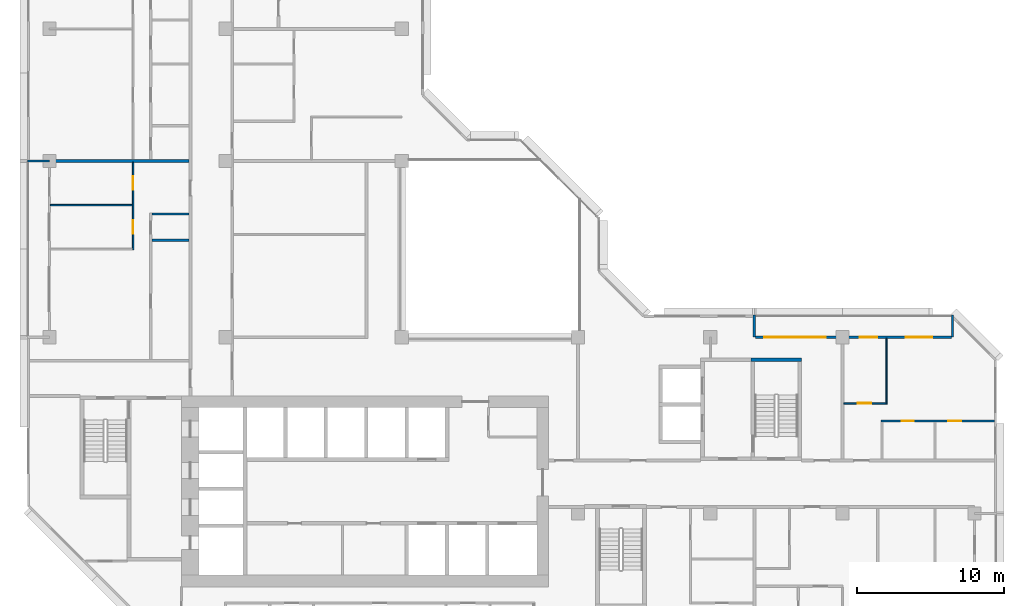
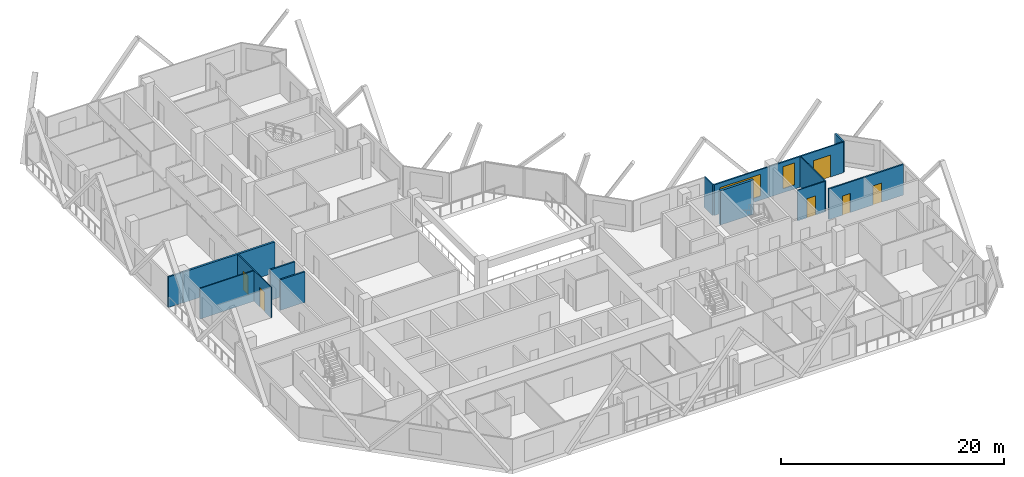
# One storey, part 8 of 15: 13 walls, 6 doors, 2 windows, 8 openings.
"""IFC4 building model written with IfcOpenShell, lengths in metres."""

from ifc_helpers import new_model, si_unit, direction, frame, frame_2d, origin, place, context, subcontext, project, spatial, rectangle, extrude, material, layer, layer_set, type_object, element, fill, save


model = new_model("IFC4")

# Units and contexts
model_context = context("Model", 3, precision=1e-05, world=origin(), true_north=direction((0.0, 1.0)))
body_context = subcontext(model_context, "Body", "Model", "MODEL_VIEW")
ifc_project = project(units=[si_unit("LENGTHUNIT", "METRE"), si_unit("AREAUNIT", "SQUARE_METRE"), si_unit("VOLUMEUNIT", "CUBIC_METRE"), si_unit("PLANEANGLEUNIT", "RADIAN"), si_unit("MASSUNIT", "GRAM", prefix="KILO")], contexts=[model_context])

# Site, building, storey
site_placement = place(None, origin())
site = spatial("IfcSite", under=ifc_project, at=site_placement, CompositionType="ELEMENT")
building_placement = place(site_placement, origin())
building = spatial("IfcBuilding", under=site, at=building_placement, Name="Chenar Terraces", CompositionType="ELEMENT")
storey_placement = place(building_placement, frame((0.0, 0.0, 187.39990234375)))
storey = spatial("IfcBuildingStorey", under=building, at=storey_placement, Name="L43", CompositionType="ELEMENT", Elevation=187.39990234375)

# Wall
ifc_material_1 = material(Name="Concrete C60/75", Category="concrete")
ifc_layer_1 = layer(ifc_material_1, 0.25)
ifc_layer_set_1 = layer_set([ifc_layer_1], Name="Concrete C60/75")
wall_type_1 = type_object("IfcWallType", Name="Core wall 250 Concrete C60/75", PredefinedType="SHEAR", material=ifc_layer_set_1)
wall_1_placement = place(storey_placement, frame((47.77490234375, 22.47509765625, 0.0), z_axis=(0.0, 0.0, 1.0), x_axis=(1.0, 0.0, 0.0)))
element("IfcWall", 1, at=wall_1_placement, inside=storey, type_object=wall_type_1, Name="Core wall ST3_N L43", PredefinedType="SHEAR", context=body_context, shape_type="SweptSolid", body=[
    extrude(rectangle(XDim=3.4501953125, YDim=0.25, at=frame_2d((1.72509765625, 0.0))), origin(), (0.0, 0.0, 1.0), 3.75),
])

# Wall, openings, windows, door
ifc_material_2 = material(Name="Aluminium framed glazing", Category="aluminium")
ifc_layer_2 = layer(ifc_material_2, 0.14990234375)
ifc_layer_set_2 = layer_set([ifc_layer_2], Name="Aluminium framed glazing")
wall_type_2 = type_object("IfcWallType", Name="Glazed loggia back wall 150", PredefinedType="SOLIDWALL", material=ifc_layer_set_2)
wall_2_placement = place(storey_placement, frame((61.425048828125, 24.0, 0.0), z_axis=(0.0, 0.0, 1.0), x_axis=(-1.0, 0.0, 0.0)))
wall_2 = element("IfcWall", 2, at=wall_2_placement, inside=storey, type_object=wall_type_2, Name="Glazed loggia back wall", PredefinedType="SOLIDWALL", context=body_context, shape_type="SweptSolid", body=[
    extrude(rectangle(XDim=13.35009765625, YDim=0.14990234375, at=frame_2d((6.675048828125, 0.0))), origin(), (0.0, 0.0, 1.0), 3.35009765625),
])
opening_1_placement = place(wall_2_placement, frame((1.3125, 0.0, 0.0)))
opening_1 = element("IfcOpeningElement", 3, at=opening_1_placement, cuts=wall_2, Name="Opening DL43-G1", PredefinedType="OPENING", context=body_context, shape_type="SweptSolid", body=[
    extrude(rectangle(XDim=1.800048828125, YDim=2.39990234375, at=frame_2d((0.89990234375, 1.199951171875))), frame((0.0, 0.0849609375, 0.0), z_axis=(0.0, -1.0, 0.0), x_axis=(1.0, 0.0, 0.0)), (0.0, 0.0, 1.0), 0.169921875),
])
opening_2_placement = place(wall_2_placement, frame((5.050048828125, 0.0, 0.449951171875)))
opening_2 = element("IfcOpeningElement", 4, at=opening_2_placement, cuts=wall_2, Name="Opening W120x240", PredefinedType="OPENING", context=body_context, shape_type="SweptSolid", body=[
    extrude(rectangle(XDim=1.199951171875, YDim=2.39990234375, at=frame_2d((0.60009765625, 1.199951171875))), frame((0.0, 0.0849609375, 0.0), z_axis=(0.0, -1.0, 0.0), x_axis=(1.0, 0.0, 0.0)), (0.0, 0.0, 1.0), 0.169921875),
])
opening_3_placement = place(wall_2_placement, frame((8.5625, 0.0, 0.449951171875)))
opening_3 = element("IfcOpeningElement", 5, at=opening_3_placement, cuts=wall_2, Name="Opening W420x240", PredefinedType="OPENING", context=body_context, shape_type="SweptSolid", body=[
    extrude(rectangle(XDim=4.199951171875, YDim=2.39990234375, at=frame_2d((2.10009765625, 1.199951171875))), frame((0.0, 0.0849609375, 0.0), z_axis=(0.0, -1.0, 0.0), x_axis=(1.0, 0.0, 0.0)), (0.0, 0.0, 1.0), 0.169921875),
])
ifc_material_3 = material(Name="Low emissivity double glazing, aluminium frame", Category="aluminium")
window_type_1 = type_object("IfcWindowType", Name="Fixed light 1200 x 2400", PartitioningType="SINGLE_PANEL", PredefinedType="WINDOW", material=ifc_material_3)
window_1_placement = place(opening_2_placement, origin())
window_1 = element("IfcWindow", 6, at=window_1_placement, inside=storey, type_object=window_type_1, Name="Window", OverallHeight=2.39990234375, OverallWidth=1.199951171875, PartitioningType="SINGLE_PANEL", PredefinedType="WINDOW", context=body_context, shape_type="SweptSolid", body=[
    extrude(rectangle(XDim=1.199951171875, YDim=2.39990234375, at=frame_2d((0.60009765625, 1.199951171875))), frame((0.0, 0.030029296875, 0.0), z_axis=(0.0, -1.0, 0.0), x_axis=(1.0, 0.0, 0.0)), (0.0, 0.0, 1.0), 0.06005859375),
])
fill(opening_2, window_1)
ifc_material_4 = material(Name="Low emissivity double glazing, aluminium frame", Category="aluminium")
window_type_2 = type_object("IfcWindowType", Name="Fixed light 4200 x 2400", PartitioningType="SINGLE_PANEL", PredefinedType="WINDOW", material=ifc_material_4)
window_2_placement = place(opening_3_placement, origin())
window_2 = element("IfcWindow", 7, at=window_2_placement, inside=storey, type_object=window_type_2, Name="Window", OverallHeight=2.39990234375, OverallWidth=4.199951171875, PartitioningType="SINGLE_PANEL", PredefinedType="WINDOW", context=body_context, shape_type="SweptSolid", body=[
    extrude(rectangle(XDim=4.199951171875, YDim=2.39990234375, at=frame_2d((2.10009765625, 1.199951171875))), frame((0.0, 0.030029296875, 0.0), z_axis=(0.0, -1.0, 0.0), x_axis=(1.0, 0.0, 0.0)), (0.0, 0.0, 1.0), 0.06005859375),
])
fill(opening_3, window_2)
ifc_material_5 = material(Name="Low emissivity double glazing, aluminium frame", Category="aluminium")
door_type_1 = type_object("IfcDoorType", Name="Loggia glazed double door 1800 x 2400", OperationType="DOUBLE_DOOR_SINGLE_SWING", PredefinedType="DOOR", material=ifc_material_5)
door_1_placement = place(opening_1_placement, frame((1.800048828125, 0.0, 0.0), z_axis=(0.0, 0.0, 1.0), x_axis=(-1.0, 0.0, 0.0)))
door_1 = element("IfcDoor", 8, at=door_1_placement, inside=storey, type_object=door_type_1, Name="Loggia glazed door", OperationType="DOUBLE_DOOR_SINGLE_SWING", OverallHeight=2.39990234375, OverallWidth=1.800048828125, PredefinedType="DOOR", context=body_context, shape_type="SweptSolid", body=[
    extrude(rectangle(XDim=1.800048828125, YDim=2.39990234375, at=frame_2d((0.89990234375, 1.199951171875))), frame((0.0, 0.02490234375, 0.0), z_axis=(0.0, -1.0, 0.0), x_axis=(1.0, 0.0, 0.0)), (0.0, 0.0, 1.0), 0.050048828125),
])
fill(opening_1, door_1)

# Wall
ifc_material_6 = material(Name="Gypsum board on steel studs", Category="steel")
ifc_layer_3 = layer(ifc_material_6, 0.10009765625)
ifc_layer_set_3 = layer_set([ifc_layer_3], Name="Gypsum board on steel studs")
wall_type_3 = type_object("IfcWallType", Name="Gypsum partition 100", PredefinedType="PARTITIONING", material=ifc_layer_set_3)
wall_3_placement = place(storey_placement, frame((0.073974609375, 33.0, 0.0), z_axis=(0.0, 0.0, 1.0), x_axis=(1.0, 0.0, 0.0)))
element("IfcWall", 9, at=wall_3_placement, inside=storey, type_object=wall_type_3, Name="Partition L43-007", PredefinedType="PARTITIONING", context=body_context, shape_type="SweptSolid", body=[
    extrude(rectangle(XDim=5.575927734375, YDim=0.10009765625, at=frame_2d((2.7880859375, 0.0))), origin(), (0.0, 0.0, 1.0), 3.35009765625),
])

# Wall, openings, doors
wall_4_placement = place(storey_placement, frame((5.699951171875, 29.949951171875, 0.0), z_axis=(0.0, 0.0, 1.0), x_axis=(0.0, 1.0, 0.0)))
wall_4 = element("IfcWall", 10, at=wall_4_placement, inside=storey, type_object=wall_type_3, Name="Partition L43-013", PredefinedType="PARTITIONING", context=body_context, shape_type="SweptSolid", body=[
    extrude(rectangle(XDim=5.949951171875, YDim=0.10009765625, at=frame_2d((2.97509765625, 0.0))), origin(), (0.0, 0.0, 1.0), 3.35009765625),
])
opening_4_placement = place(wall_4_placement, frame((1.10009765625, 0.0, 0.0)))
opening_4 = element("IfcOpeningElement", 11, at=opening_4_placement, cuts=wall_4, Name="Opening DL43-58", PredefinedType="OPENING", context=body_context, shape_type="SweptSolid", body=[
    extrude(rectangle(XDim=0.89990234375, YDim=2.10009765625, at=frame_2d((0.449951171875, 1.050048828125))), frame((0.0, 0.06005859375, 0.0), z_axis=(0.0, -1.0, 0.0), x_axis=(1.0, 0.0, 0.0)), (0.0, 0.0, 1.0), 0.1201171875),
])
opening_5_placement = place(wall_4_placement, frame((4.10009765625, 0.0, 0.0)))
opening_5 = element("IfcOpeningElement", 12, at=opening_5_placement, cuts=wall_4, Name="Opening DL43-59", PredefinedType="OPENING", context=body_context, shape_type="SweptSolid", body=[
    extrude(rectangle(XDim=0.89990234375, YDim=2.10009765625, at=frame_2d((0.449951171875, 1.050048828125))), frame((0.0, 0.06005859375, 0.0), z_axis=(0.0, -1.0, 0.0), x_axis=(1.0, 0.0, 0.0)), (0.0, 0.0, 1.0), 0.1201171875),
])
ifc_material_7 = material(Name="Veneered timber door leaf", Category="wood")
door_type_2 = type_object("IfcDoorType", Name="Door 900 x 2100", OperationType="SINGLE_SWING_LEFT", PredefinedType="DOOR", material=ifc_material_7)
door_2_placement = place(opening_4_placement, origin())
door_2 = element("IfcDoor", 13, at=door_2_placement, inside=storey, type_object=door_type_2, Name="Door DL43-58", OperationType="SINGLE_SWING_LEFT", OverallHeight=2.10009765625, OverallWidth=0.89990234375, PredefinedType="DOOR", context=body_context, shape_type="SweptSolid", body=[
    extrude(rectangle(XDim=0.89990234375, YDim=2.10009765625, at=frame_2d((0.449951171875, 1.050048828125))), frame((0.0, 0.02490234375, 0.0), z_axis=(0.0, -1.0, 0.0), x_axis=(1.0, 0.0, 0.0)), (0.0, 0.0, 1.0), 0.050048828125),
])
fill(opening_4, door_2)
door_3_placement = place(opening_5_placement, origin())
door_3 = element("IfcDoor", 14, at=door_3_placement, inside=storey, type_object=door_type_2, Name="Door DL43-59", OperationType="SINGLE_SWING_RIGHT", OverallHeight=2.10009765625, OverallWidth=0.89990234375, PredefinedType="DOOR", context=body_context, shape_type="SweptSolid", body=[
    extrude(rectangle(XDim=0.89990234375, YDim=2.10009765625, at=frame_2d((0.449951171875, 1.050048828125))), frame((0.0, 0.02490234375, 0.0), z_axis=(0.0, -1.0, 0.0), x_axis=(1.0, 0.0, 0.0)), (0.0, 0.0, 1.0), 0.050048828125),
])
fill(opening_5, door_3)

# Wall, opening, door
wall_5_placement = place(storey_placement, frame((54.10009765625, 19.5, 0.0), z_axis=(0.0, 0.0, 1.0), x_axis=(1.0, 0.0, 0.0)))
wall_5 = element("IfcWall", 15, at=wall_5_placement, inside=storey, type_object=wall_type_3, Name="Partition L43-078", PredefinedType="PARTITIONING", context=body_context, shape_type="SweptSolid", body=[
    extrude(rectangle(XDim=2.849853515625, YDim=0.10009765625, at=frame_2d((1.4248046875, 0.0))), origin(), (0.0, 0.0, 1.0), 3.35009765625),
])
opening_6_placement = place(wall_5_placement, frame((0.949951171875, 0.0, 0.0)))
opening_6 = element("IfcOpeningElement", 16, at=opening_6_placement, cuts=wall_5, Name="Opening DL43-5", PredefinedType="OPENING", context=body_context, shape_type="SweptSolid", body=[
    extrude(rectangle(XDim=0.89990234375, YDim=2.10009765625, at=frame_2d((0.449951171875, 1.050048828125))), frame((0.0, 0.06005859375, 0.0), z_axis=(0.0, -1.0, 0.0), x_axis=(1.0, 0.0, 0.0)), (0.0, 0.0, 1.0), 0.1201171875),
])
door_4_placement = place(opening_6_placement, origin())
door_4 = element("IfcDoor", 17, at=door_4_placement, inside=storey, type_object=door_type_2, Name="Door DL43-5", OperationType="SINGLE_SWING_RIGHT", OverallHeight=2.10009765625, OverallWidth=0.89990234375, PredefinedType="DOOR", context=body_context, shape_type="SweptSolid", body=[
    extrude(rectangle(XDim=0.89990234375, YDim=2.10009765625, at=frame_2d((0.449951171875, 1.050048828125))), frame((0.0, 0.02490234375, 0.0), z_axis=(0.0, -1.0, 0.0), x_axis=(1.0, 0.0, 0.0)), (0.0, 0.0, 1.0), 0.050048828125),
])
fill(opening_6, door_4)

# Walls
wall_6_placement = place(storey_placement, frame((57.0, 19.449951171875, 0.0), z_axis=(0.0, 0.0, 1.0), x_axis=(0.0, 1.0, 0.0)))
element("IfcWall", 18, at=wall_6_placement, inside=storey, type_object=wall_type_3, Name="Partition L43-083", PredefinedType="PARTITIONING", context=body_context, shape_type="SweptSolid", body=[
    extrude(rectangle(XDim=4.47607421875, YDim=0.10009765625, at=frame_2d((2.238037109375, 0.0))), origin(), (0.0, 0.0, 1.0), 3.35009765625),
])
ifc_material_8 = material(Name="Terracotta cladding on insulated backing", Category="masonry")
ifc_layer_4 = layer(ifc_material_8, 0.14990234375)
ifc_layer_set_4 = layer_set([ifc_layer_4], Name="Terracotta cladding on insulated backing")
wall_type_4 = type_object("IfcWallType", Name="Loggia return wall 150", PredefinedType="SOLIDWALL", material=ifc_layer_set_4)
for number, where, z_axis, x_axis, name in (
    (19, (61.5, 25.5, 0.0), (0.0, 0.0, 1.0), (0.0, -1.0, 0.0), "Loggia return wall"),
    (20, (48.0, 25.5, 0.0), (0.0, 0.0, 1.0), (0.0, -1.0, 0.0), "Loggia return wall"),
    (21, (-1.5, 36.0, 0.0), (0.0, 0.0, 1.0), (1.0, 0.0, 0.0), "Loggia return wall"),
):
    element("IfcWall", number, at=place(storey_placement, frame(where, z_axis=z_axis, x_axis=x_axis)), inside=storey, type_object=wall_type_4, Name=name, PredefinedType="SOLIDWALL", context=body_context, shape_type="SweptSolid", body=[
        extrude(rectangle(XDim=1.5, YDim=0.14990234375, at=frame_2d((0.75, 0.0))), origin(), (0.0, 0.0, 1.0), 3.35009765625),
    ])
ifc_material_9 = material(Name="Twin gypsum board on steel studs with mineral wool", Category="steel")
ifc_layer_5 = layer(ifc_material_9, 0.199951171875)
ifc_layer_set_5 = layer_set([ifc_layer_5], Name="Twin gypsum board on steel studs with mineral wool")
wall_type_5 = type_object("IfcWallType", Name="Unit demising wall 200", PredefinedType="PARTITIONING", material=ifc_layer_set_5)
wall_7_placement = place(storey_placement, frame((0.0, 36.0, 0.0), z_axis=(0.0, 0.0, 1.0), x_axis=(1.0, 0.0, 0.0)))
element("IfcWall", 22, at=wall_7_placement, inside=storey, type_object=wall_type_5, Name="Partition L43-003", PredefinedType="PARTITIONING", context=body_context, shape_type="SweptSolid", body=[
    extrude(rectangle(XDim=9.5, YDim=0.199951171875, at=frame_2d((4.75, 0.0))), origin(), (0.0, 0.0, 1.0), 3.35009765625),
])
ifc_material_10 = material(Name="Moisture-resistant gypsum board on steel studs", Category="steel")
ifc_layer_6 = layer(ifc_material_10, 0.14990234375)
ifc_layer_set_6 = layer_set([ifc_layer_6], Name="Moisture-resistant gypsum board on steel studs")
wall_type_6 = type_object("IfcWallType", Name="Wet-room partition 150", PredefinedType="PARTITIONING", material=ifc_layer_set_6)
for number, where, z_axis, x_axis, name in (
    (23, (6.97509765625, 30.60009765625, 0.0), (0.0, 0.0, 1.0), (1.0, 0.0, 0.0), "Partition L43-020"),
    (24, (6.97509765625, 32.39990234375, 0.0), (0.0, 0.0, 1.0), (1.0, 0.0, 0.0), "Partition L43-021"),
):
    element("IfcWall", number, at=place(storey_placement, frame(where, z_axis=z_axis, x_axis=x_axis)), inside=storey, type_object=wall_type_6, Name=name, PredefinedType="PARTITIONING", context=body_context, shape_type="SweptSolid", body=[
        extrude(rectangle(XDim=2.52490234375, YDim=0.14990234375, at=frame_2d((1.262451171875, 0.0))), origin(), (0.0, 0.0, 1.0), 3.35009765625),
    ])

# Wall, openings, doors
wall_8_placement = place(storey_placement, frame((56.625, 18.300048828125, 0.0), z_axis=(0.0, 0.0, 1.0), x_axis=(1.0, 0.0, 0.0)))
wall_8 = element("IfcWall", 25, at=wall_8_placement, inside=storey, type_object=wall_type_6, Name="Partition L43-081", PredefinedType="PARTITIONING", context=body_context, shape_type="SweptSolid", body=[
    extrude(rectangle(XDim=7.72509765625, YDim=0.14990234375, at=frame_2d((3.862548828125, 0.0))), origin(), (0.0, 0.0, 1.0), 3.35009765625),
])
opening_7_placement = place(wall_8_placement, frame((1.425048828125, 0.0, 0.0)))
opening_7 = element("IfcOpeningElement", 26, at=opening_7_placement, cuts=wall_8, Name="Opening DL43-4", PredefinedType="OPENING", context=body_context, shape_type="SweptSolid", body=[
    extrude(rectangle(XDim=0.800048828125, YDim=2.10009765625, at=frame_2d((0.39990234375, 1.050048828125))), frame((0.0, 0.0849609375, 0.0), z_axis=(0.0, -1.0, 0.0), x_axis=(1.0, 0.0, 0.0)), (0.0, 0.0, 1.0), 0.169921875),
])
opening_8_placement = place(wall_8_placement, frame((4.574951171875, 0.0, 0.0)))
opening_8 = element("IfcOpeningElement", 27, at=opening_8_placement, cuts=wall_8, Name="Opening DL43-6", PredefinedType="OPENING", context=body_context, shape_type="SweptSolid", body=[
    extrude(rectangle(XDim=0.89990234375, YDim=2.10009765625, at=frame_2d((0.449951171875, 1.050048828125))), frame((0.0, 0.0849609375, 0.0), z_axis=(0.0, -1.0, 0.0), x_axis=(1.0, 0.0, 0.0)), (0.0, 0.0, 1.0), 0.169921875),
])
ifc_material_11 = material(Name="Veneered timber door leaf", Category="wood")
door_type_3 = type_object("IfcDoorType", Name="Door 800 x 2100", OperationType="SINGLE_SWING_LEFT", PredefinedType="DOOR", material=ifc_material_11)
door_5_placement = place(opening_7_placement, frame((0.800048828125, 0.0, 0.0), z_axis=(0.0, 0.0, 1.0), x_axis=(-1.0, 0.0, 0.0)))
door_5 = element("IfcDoor", 28, at=door_5_placement, inside=storey, type_object=door_type_3, Name="Door DL43-4", OperationType="SINGLE_SWING_RIGHT", OverallHeight=2.10009765625, OverallWidth=0.800048828125, PredefinedType="DOOR", context=body_context, shape_type="SweptSolid", body=[
    extrude(rectangle(XDim=0.800048828125, YDim=2.10009765625, at=frame_2d((0.39990234375, 1.050048828125))), frame((0.0, 0.02490234375, 0.0), z_axis=(0.0, -1.0, 0.0), x_axis=(1.0, 0.0, 0.0)), (0.0, 0.0, 1.0), 0.050048828125),
])
fill(opening_7, door_5)
door_6_placement = place(opening_8_placement, frame((0.89990234375, 0.0, 0.0), z_axis=(0.0, 0.0, 1.0), x_axis=(-1.0, 0.0, 0.0)))
door_6 = element("IfcDoor", 29, at=door_6_placement, inside=storey, type_object=door_type_2, Name="Door DL43-6", OperationType="SINGLE_SWING_RIGHT", OverallHeight=2.10009765625, OverallWidth=0.89990234375, PredefinedType="DOOR", context=body_context, shape_type="SweptSolid", body=[
    extrude(rectangle(XDim=0.89990234375, YDim=2.10009765625, at=frame_2d((0.449951171875, 1.050048828125))), frame((0.0, 0.02490234375, 0.0), z_axis=(0.0, -1.0, 0.0), x_axis=(1.0, 0.0, 0.0)), (0.0, 0.0, 1.0), 0.050048828125),
])
fill(opening_8, door_6)

save(model, "model.ifc")
